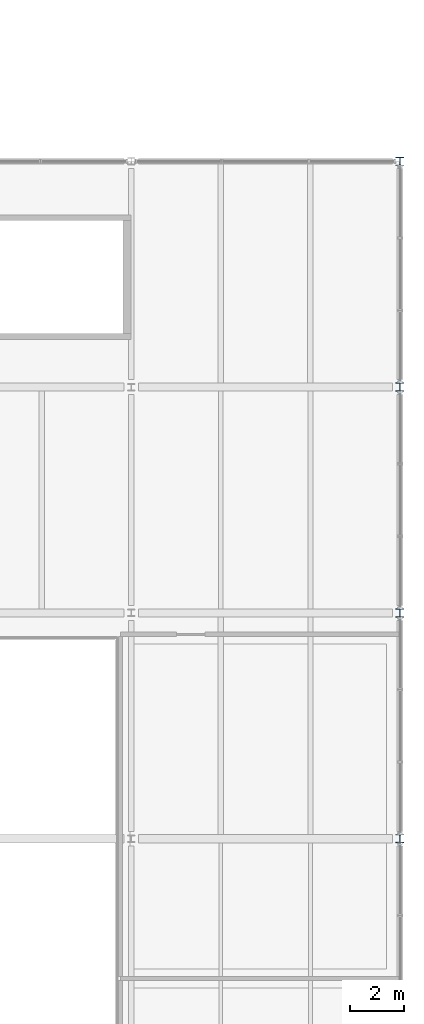
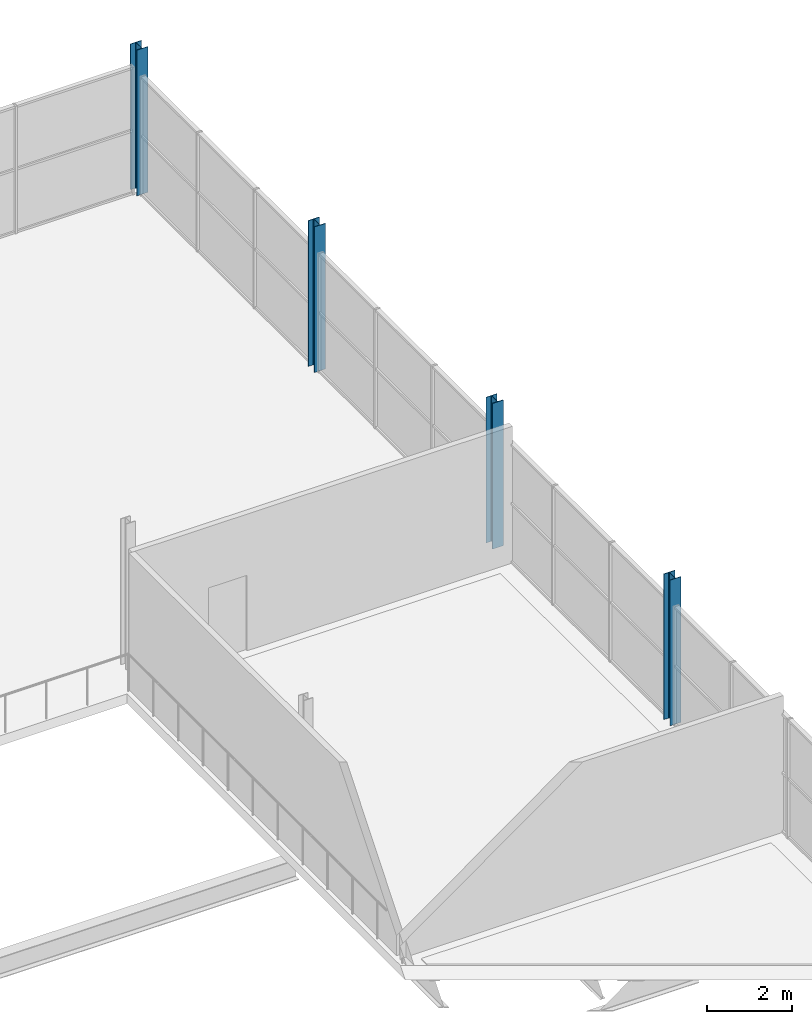
# One storey, part 16 of 161: 4 columns.
"""IFC4 building model written with IfcOpenShell, lengths in metres."""

import ifcopenshell
import ifcopenshell.guid

model = None  # the IFC model being written
_history = None  # IfcOwnerHistory: only IFC2X3 demands one
_inside = {}  # id of a spatial element -> (the spatial element, [elements in it])
_under = {}  # id of a project, library or spatial element -> (it, [spatial elements below it])
_declared = {}  # id of a project -> (the project, [libraries it declares])
_typed = {}  # id of a type object -> (the type object, [elements of that type])
_made_of = {}  # id of a material, layer set ... -> (it, [elements and type objects made of it])


def new_model(schema):
    """Start an empty IFC model of exactly this schema.

    Asked for "IFC4X3", IfcOpenShell would pick the latest addendum, in which some entities
    have other attributes; the version numbers below select the first issue.
    IFC2X3 requires an IfcOwnerHistory on every rooted entity: one is made here for all.
    """
    global model, _history
    if schema == "IFC4X3":
        model = ifcopenshell.file(schema_version=(4, 3, 0, 0))
    else:
        model = ifcopenshell.file(schema=schema)
    _inside.clear()
    _under.clear()
    _declared.clear()
    _typed.clear()
    _made_of.clear()
    _history = None
    if model.schema == "IFC2X3":
        org = make("IfcOrganization", Name="unknown")
        user = make(
            "IfcPersonAndOrganization",
            ThePerson=make("IfcPerson", FamilyName="unknown"),
            TheOrganization=org,
        )
        app = make(
            "IfcApplication",
            ApplicationDeveloper=org,
            Version="unknown",
            ApplicationFullName="unknown",
            ApplicationIdentifier="unknown",
        )
        _history = make(
            "IfcOwnerHistory",
            OwningUser=user,
            OwningApplication=app,
            ChangeAction="ADDED",
            CreationDate=0,
        )
    return model


def make(cls, **values):
    """One entity of the class cls with the attributes given. An attribute that is None is left unset."""
    return model.create_entity(
        cls, **{name: value for name, value in values.items() if value is not None}
    )


def rooted(cls, **values):
    """An entity with a GlobalId (a new one), such as an element, a storey or a relation."""
    return make(cls, GlobalId=ifcopenshell.guid.new(), OwnerHistory=_history, **values)


def si_unit(unit_type, name, prefix=None):
    """IfcSIUnit, for example si_unit("LENGTHUNIT", "METRE", prefix="MILLI")."""
    return make("IfcSIUnit", UnitType=unit_type, Prefix=prefix, Name=name)


def assignment(units):
    """IfcUnitAssignment: the units of a project."""
    return None if units is None else make("IfcUnitAssignment", Units=units)


def point(xyz):
    """IfcCartesianPoint."""
    return None if xyz is None else make("IfcCartesianPoint", Coordinates=xyz)


def direction(xyz):
    """IfcDirection."""
    return None if xyz is None else make("IfcDirection", DirectionRatios=xyz)


def frame(location, z_axis=None, x_axis=None):
    """IfcAxis2Placement3D, a coordinate frame: its origin and axes. An axis left out is left unset."""
    return make(
        "IfcAxis2Placement3D",
        Location=point(location),
        Axis=direction(z_axis),
        RefDirection=direction(x_axis),
    )


def frame_2d(location, x_axis=None):
    """IfcAxis2Placement2D, a coordinate frame in the plane: its origin and x axis."""
    return make(
        "IfcAxis2Placement2D", Location=point(location), RefDirection=direction(x_axis)
    )


def origin():
    """The frame at (0, 0, 0) with its axes left unset."""
    return frame((0.0, 0.0, 0.0))


def origin_2d():
    """The frame at (0, 0) in the plane with its x axis left unset."""
    return frame_2d((0.0, 0.0))


def place(relative_to, where):
    """IfcLocalPlacement: puts the frame where relative to a parent placement (None: the world)."""
    return make(
        "IfcLocalPlacement", PlacementRelTo=relative_to, RelativePlacement=where
    )


def context(
    kind, dimensions, precision=None, world=None, true_north=None, identifier=None
):
    """IfcGeometricRepresentationContext, for example the 3D "Model" context."""
    return make(
        "IfcGeometricRepresentationContext",
        ContextIdentifier=identifier,
        ContextType=kind,
        CoordinateSpaceDimension=dimensions,
        Precision=precision,
        WorldCoordinateSystem=world,
        TrueNorth=true_north,
    )


def subcontext(parent, identifier, kind, view, scale=None):
    """IfcGeometricRepresentationSubContext, for example "Body" below "Model"."""
    return make(
        "IfcGeometricRepresentationSubContext",
        ContextIdentifier=identifier,
        ContextType=kind,
        ParentContext=parent,
        TargetScale=scale,
        TargetView=view,
    )


def project(units=None, contexts=None):
    """IfcProject with its units and contexts."""
    return rooted(
        "IfcProject",
        Name="project",
        RepresentationContexts=contexts,
        UnitsInContext=assignment(units),
    )


def spatial(cls, under=None, at=None, **own):
    """A site, building, storey or space (cls), placed at a placement, below another one or the project."""
    s = rooted(cls, ObjectPlacement=at, **own)
    if under is not None:
        _under.setdefault(under.id(), (under, []))[1].append(s)
    return s


def profile(cls, at=None, kind="AREA", **sizes):
    """A parametric profile (cls). Its sizes go by their IFC names, for example OverallWidth=200.0."""
    return make(cls, ProfileType=kind, Position=at, **sizes)


def i_section(**sizes):
    """IfcIShapeProfileDef."""
    return profile("IfcIShapeProfileDef", **sizes)


def extrude(swept, where, along, depth):
    """IfcExtrudedAreaSolid: the profile swept, set in the frame where, extruded along a direction by depth."""
    return make(
        "IfcExtrudedAreaSolid",
        SweptArea=swept,
        Position=where,
        ExtrudedDirection=direction(along),
        Depth=depth,
    )


def shape(context_of_items, identifier, shape_type, items):
    """IfcShapeRepresentation: the items that make up one representation, for example the "Body"."""
    return make(
        "IfcShapeRepresentation",
        ContextOfItems=context_of_items,
        RepresentationIdentifier=identifier,
        RepresentationType=shape_type,
        Items=items,
    )


def material(Name=None, Category=None):
    """IfcMaterial."""
    return make("IfcMaterial", Name=Name, Category=Category)


def material_profile(
    of_material, cross_section, Name=None, Category=None, Priority=None
):
    """IfcMaterialProfile: a cross section and its material."""
    return make(
        "IfcMaterialProfile",
        Name=Name,
        Material=of_material,
        Profile=cross_section,
        Priority=Priority,
        Category=Category,
    )


def profile_set(profiles, Name=None, composite=None):
    """IfcMaterialProfileSet."""
    return make(
        "IfcMaterialProfileSet",
        Name=Name,
        MaterialProfiles=profiles,
        CompositeProfile=composite,
    )


def made_of(thing, what):
    """Note that an element or type object is made of a material, layer set ...; save() writes the relation."""
    if what is not None:
        _made_of.setdefault(what.id(), (what, []))[1].append(thing)
    return thing


def type_object(cls, material=None, **own):
    """A type object (cls), such as IfcWallType, which elements share."""
    return made_of(rooted(cls, **own), material)


def element(
    cls,
    number,
    at=None,
    inside=None,
    cuts=None,
    type_object=None,
    material=None,
    context=None,
    identifier="Body",
    shape_type=None,
    held_by="IfcProductDefinitionShape",
    body=None,
    shapes=None,
    **own,
):
    """One element of the class cls, such as IfcWall. Its Tag is "e" and its number.

    at: its placement. inside: the storey or other place that contains it. cuts: it is an
    opening in that element (IfcRelVoidsElement). A single representation is given by context,
    identifier, shape_type and body (its items); several are given by shapes. held_by: the class
    of the entity that holds the representations. save() writes the other relations.
    """
    e = rooted(cls, Tag="e%d" % number, ObjectPlacement=at, **own)
    if body is not None:
        shapes = [shape(context, identifier, shape_type, body)]
    if shapes is not None:
        e.Representation = make(held_by, Representations=shapes)
    if inside is not None:
        _inside.setdefault(inside.id(), (inside, []))[1].append(e)
    if cuts is not None:
        rooted(
            "IfcRelVoidsElement", RelatingBuildingElement=cuts, RelatedOpeningElement=e
        )
    if type_object is not None:
        _typed.setdefault(type_object.id(), (type_object, []))[1].append(e)
    return made_of(e, material)


def aggregate(whole, parts):
    """IfcRelAggregates: a whole, such as a stair, and the parts it consists of."""
    return rooted("IfcRelAggregates", RelatingObject=whole, RelatedObjects=parts)


def save(model, path):
    """Write the relations noted so far, then the file.

    IfcRelAggregates (storeys below a building ...), IfcRelContainedInSpatialStructure (elements
    in a storey), IfcRelDefinesByType, IfcRelAssociatesMaterial and IfcRelDeclares: one each for
    every whole, place, type object, material and project.
    """
    for whole, parts in _under.values():
        aggregate(whole, parts)
    for where, things in _inside.values():
        rooted(
            "IfcRelContainedInSpatialStructure",
            RelatedElements=things,
            RelatingStructure=where,
        )
    for kind, things in _typed.values():
        rooted("IfcRelDefinesByType", RelatedObjects=things, RelatingType=kind)
    for what, things in _made_of.values():
        rooted("IfcRelAssociatesMaterial", RelatedObjects=things, RelatingMaterial=what)
    for by, libraries in _declared.values():
        rooted("IfcRelDeclares", RelatingContext=by, RelatedDefinitions=libraries)
    model.write(path)


model = new_model("IFC4")

# Units and contexts
model_context = context("Model", 3, precision=1e-05, world=origin(), true_north=direction((0.0, 1.0)))
body_context = subcontext(model_context, "Body", "Model", "MODEL_VIEW")
ifc_project = project(units=[si_unit("LENGTHUNIT", "METRE"), si_unit("AREAUNIT", "SQUARE_METRE"), si_unit("VOLUMEUNIT", "CUBIC_METRE"), si_unit("PLANEANGLEUNIT", "RADIAN"), si_unit("MASSUNIT", "GRAM", prefix="KILO"), si_unit("THERMODYNAMICTEMPERATUREUNIT", "KELVIN")], contexts=[model_context])

# Site, building, storey
site_placement = place(None, origin())
site = spatial("IfcSite", under=ifc_project, at=site_placement, CompositionType="ELEMENT")
building_placement = place(site_placement, origin())
building = spatial("IfcBuilding", under=site, at=building_placement, Name="Nduvali Passage Aquatics Centre", CompositionType="ELEMENT")
storey_placement = place(building_placement, frame((0.0, 0.0, 4.800048828125)))
storey = spatial("IfcBuildingStorey", under=building, at=storey_placement, Name="L01", CompositionType="ELEMENT", Elevation=4.800048828125)

# Columns
ifc_material = material(Name="Steel S355", Category="steel")
ifc_material_profile = material_profile(ifc_material, i_section(OverallWidth=0.300048828125, OverallDepth=0.31005859375, WebThickness=0.009033203125, FlangeThickness=0.015380859375, FilletRadius=0.027099609375, at=origin_2d()), Name="HEA 320")
ifc_profile_set = profile_set([ifc_material_profile], Name="Steel S355")
column_type = type_object("IfcColumnType", Name="STR-COL-HEA320-EXT", PredefinedType="COLUMN", material=ifc_profile_set)
for number, where, z_axis, x_axis, name in (
    (1, (168.0, 67.199951171875, 0.0), (0.0, 0.0, 1.0), (1.0, 0.0, 0.0), "L01 Column C8BE (168.0, 67.2)"),
    (2, (168.0, 75.60009765625, 0.0), (0.0, 0.0, 1.0), (1.0, 0.0, 0.0), "L01 Column C8BE (168.0, 75.6)"),
    (3, (168.0, 84.0, 0.0), (0.0, 0.0, 1.0), (1.0, 0.0, 0.0), "L01 Column C8BE (168.0, 84.0)"),
    (4, (168.0, 92.39990234375, 0.0), (0.0, 0.0, 1.0), (1.0, 0.0, 0.0), "L01 Column C8BE (168.0, 92.4)"),
):
    element("IfcColumn", number, at=place(storey_placement, frame(where, z_axis=z_axis, x_axis=x_axis)), inside=storey, type_object=column_type, Name=name, PredefinedType="COLUMN", context=body_context, shape_type="SweptSolid", body=[
        extrude(i_section(OverallWidth=0.300048828125, OverallDepth=0.31005859375, WebThickness=0.009033203125, FlangeThickness=0.015380859375, FilletRadius=0.027099609375, at=origin_2d()), origin(), (0.0, 0.0, 1.0), 4.199951171875),
    ])

save(model, "model.ifc")
